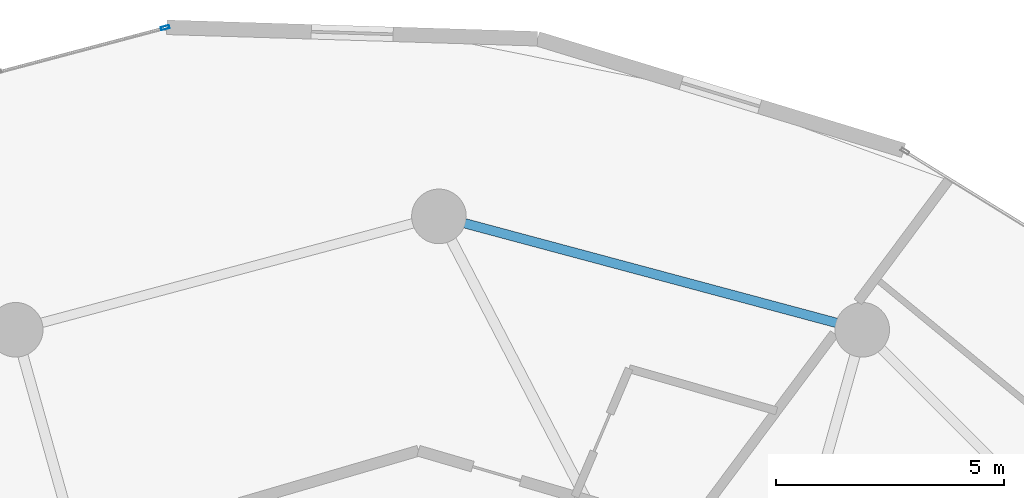
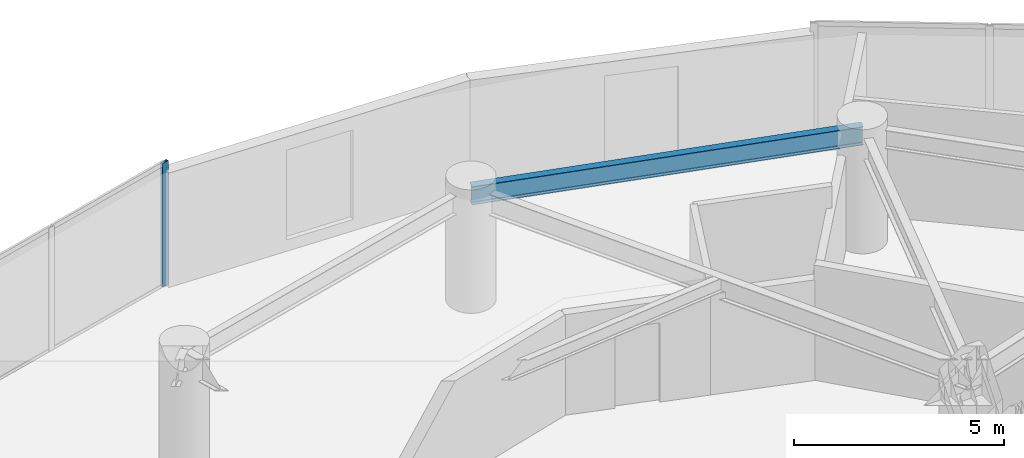
# One storey, part 15 of 24: 1 beam, 1 member, 1 element without a shape of its own.
"""IFC4 building model written with IfcOpenShell, lengths in metres."""

from ifc_helpers import new_model, si_unit, direction, frame, origin, origin_2d, place, context, subcontext, project, spatial, hollow_rectangle, i_section, extrude, source, transform, mapped, material, layer, layer_set, material_profile, profile_set, type_object, element, aggregate, save


model = new_model("IFC4")

# Units and contexts
model_context = context("Model", 3, precision=1e-05, world=origin(), true_north=direction((0.0, 1.0)))
body_context = subcontext(model_context, "Body", "Model", "MODEL_VIEW")
ifc_project = project(units=[si_unit("LENGTHUNIT", "METRE"), si_unit("AREAUNIT", "SQUARE_METRE"), si_unit("VOLUMEUNIT", "CUBIC_METRE"), si_unit("PLANEANGLEUNIT", "RADIAN"), si_unit("MASSUNIT", "GRAM", prefix="KILO")], contexts=[model_context])

# Site, building, storey
site_placement = place(None, origin())
site = spatial("IfcSite", under=ifc_project, at=site_placement, CompositionType="ELEMENT")
building_placement = place(site_placement, origin())
building = spatial("IfcBuilding", under=site, at=building_placement, Name="Solvirekh Grand Hotel", CompositionType="ELEMENT")
storey_placement = place(building_placement, frame((0.0, 0.0, 86.0)))
storey = spatial("IfcBuildingStorey", under=building, at=storey_placement, Name="L21", CompositionType="ELEMENT", Elevation=86.0)

# Beam
ifc_material_1 = material(Name="Steel S355", Category="steel")
ifc_material_profile_1 = material_profile(ifc_material_1, i_section(OverallWidth=0.208984375, OverallDepth=0.532958984375, WebThickness=0.010009765625, FlangeThickness=0.014892578125, FilletRadius=0.013916015625, at=origin_2d()), Name="W530X92")
ifc_profile_set_1 = profile_set([ifc_material_profile_1], Name="Steel S355")
beam_type = type_object("IfcBeamType", Name="Spandrel_Ring_W530", PredefinedType="SPANDREL", material=ifc_profile_set_1)
beam_placement = place(storey_placement, frame((9.300048828125, 16.10791015625, 3.073974609375), z_axis=(-0.965919414426, 0.258842973314, 0.0), x_axis=(-0.258842973314, -0.965919414426, 0.0)))
element("IfcBeam", 1, at=beam_placement, inside=storey, type_object=beam_type, Name="L21 perimeter spandrel beam 3", PredefinedType="SPANDREL", context=body_context, shape_type="SweptSolid", body=[
    extrude(i_section(OverallWidth=0.208984375, OverallDepth=0.532958984375, WebThickness=0.010009765625, FlangeThickness=0.014892578125, FilletRadius=0.013916015625, at=origin_2d()), origin(), (0.0, 0.0, 1.0), 9.628173828125),
])

# Curtain wall, member
ifc_material_2 = material(Name="Anodized Bronze Aluminium 6063-T6", Category="aluminium")
ifc_layer = layer(ifc_material_2, 0.18994140625)
ifc_layer_set = layer_set([ifc_layer], Name="Anodized Bronze Aluminium 6063-T6")
curtain_wall_type = type_object("IfcCurtainWallType", Name="CW_Sys2_LowZoneFlushBronzeCW", PredefinedType="NOTDEFINED", material=ifc_layer_set)
curtain_wall_placement = place(storey_placement, origin())
curtain_wall = element("IfcCurtainWall", 2, at=curtain_wall_placement, inside=storey, type_object=curtain_wall_type, Name="L21 unitised bronze-glass curtain wall CW-L21-C08", PredefinedType="NOTDEFINED")
ifc_material_profile_2 = material_profile(ifc_material_2, hollow_rectangle(XDim=0.070068359375, YDim=0.18994140625, WallThickness=0.0048828125, at=origin_2d()), Name="ALU RHS 190X70X5")
ifc_profile_set_2 = profile_set([ifc_material_profile_2], Name="Anodized Bronze Aluminium 6063-T6")
member_type = type_object("IfcMemberType", Name="CWMullion_Sys2", PredefinedType="MULLION", material=ifc_profile_set_2)
shared_shape = source(origin(), body_context, "Body", "SweptSolid", [
    extrude(hollow_rectangle(XDim=0.070068359375, YDim=0.18994140625, WallThickness=0.0048828125, at=origin_2d()), origin(), (0.0, 0.0, 1.0), 3.60009765625),
])
member_placement = place(storey_placement, frame((-6.015869140625, 22.74609375, 0.0), z_axis=(0.0, 0.0, 1.0), x_axis=(0.256313452144, -0.966593717262, 0.0)))
member = element("IfcMember", 3, at=member_placement, type_object=member_type, Name="U02 mullion 1", PredefinedType="MULLION", context=body_context, shape_type="MappedRepresentation", body=[
    mapped(shared_shape, transform((0.0, 0.0, 0.0), x_axis=(1.0, 0.0, 0.0), y_axis=(0.0, 1.0, 0.0), z_axis=(0.0, 0.0, 1.0), scale=1.0)),
])
aggregate(curtain_wall, [member])

save(model, "model.ifc")
